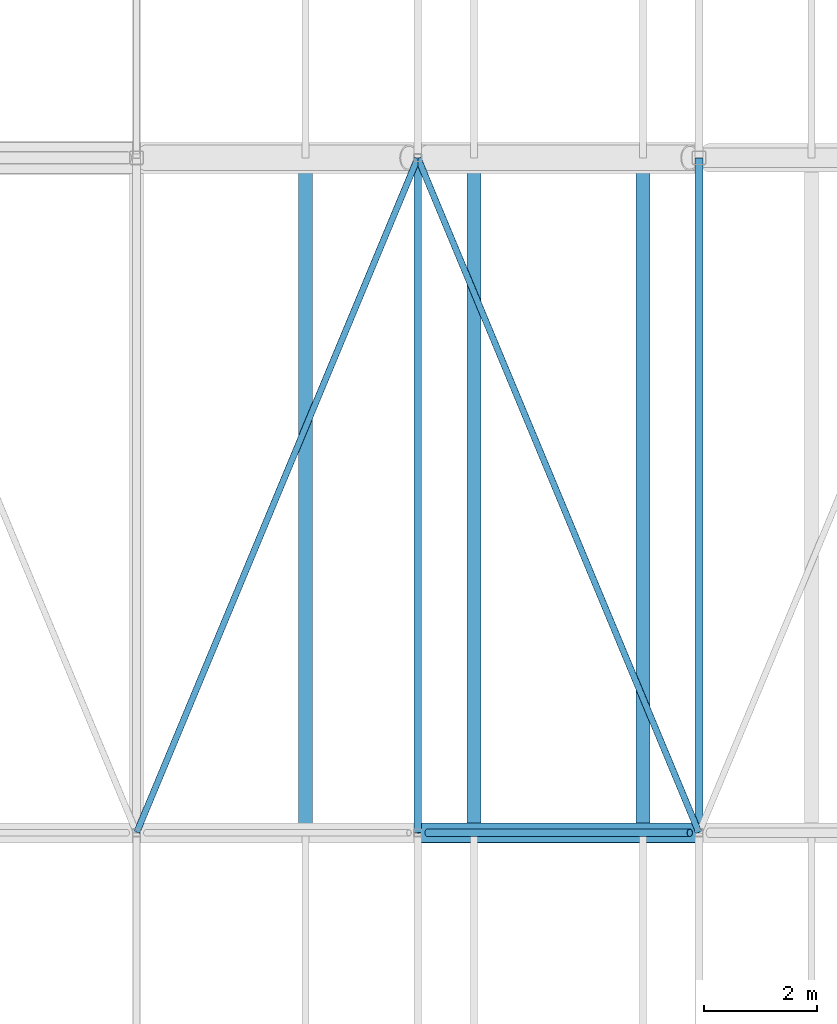
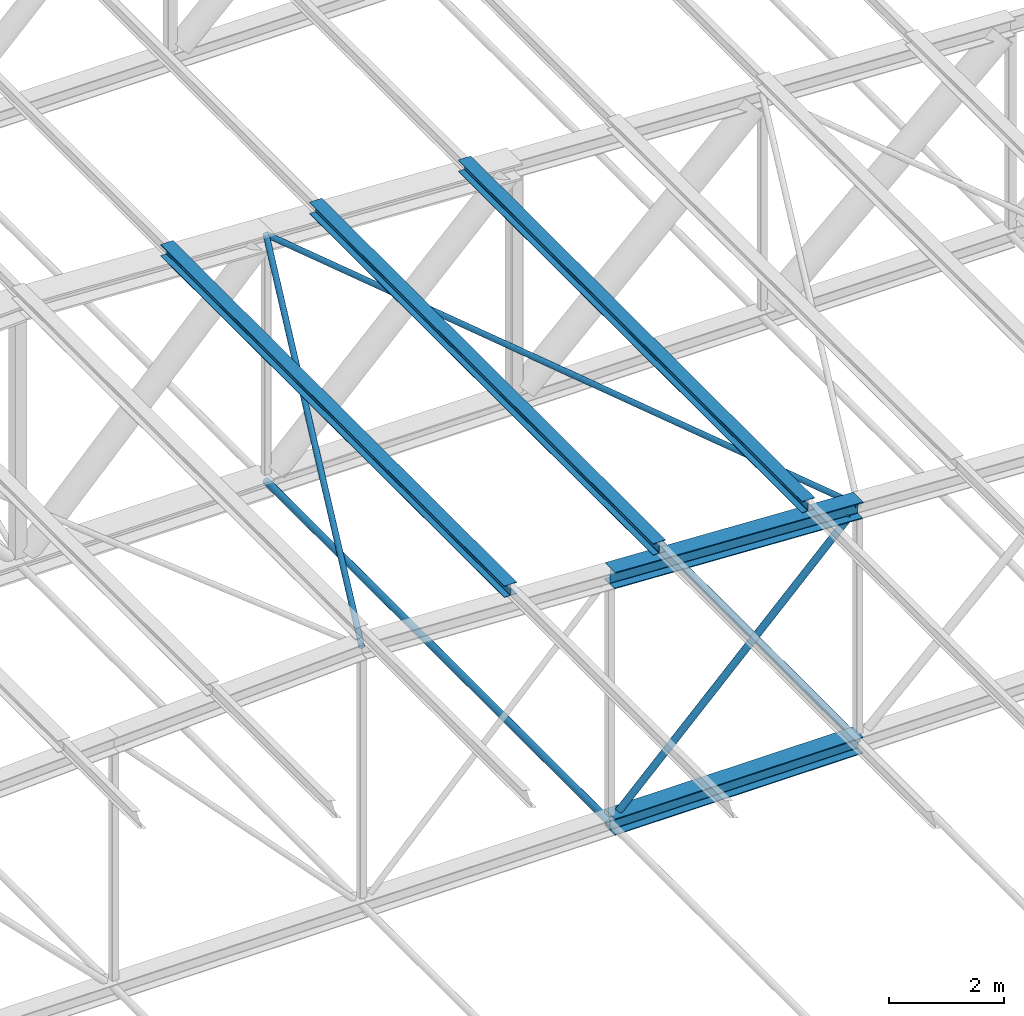
# One storey, part 71 of 156: 10 members.
"""IFC4 building model written with IfcOpenShell, lengths in metres."""

from ifc_helpers import new_model, si_unit, direction, frame, origin, origin_2d, place, context, subcontext, project, spatial, hollow_circle, i_section, extrude, material, material_profile, profile_set, type_object, element, save


model = new_model("IFC4")

# Units and contexts
model_context = context("Model", 3, precision=1e-05, world=origin(), true_north=direction((0.0, 1.0)))
body_context = subcontext(model_context, "Body", "Model", "MODEL_VIEW")
ifc_project = project(units=[si_unit("LENGTHUNIT", "METRE"), si_unit("AREAUNIT", "SQUARE_METRE"), si_unit("VOLUMEUNIT", "CUBIC_METRE"), si_unit("PLANEANGLEUNIT", "RADIAN"), si_unit("MASSUNIT", "GRAM", prefix="KILO")], contexts=[model_context])

# Site, building, storey
site_placement = place(None, origin())
site = spatial("IfcSite", under=ifc_project, at=site_placement, CompositionType="ELEMENT")
building_placement = place(site_placement, origin())
building = spatial("IfcBuilding", under=site, at=building_placement, Name="Lilac Gate Convention Centre", CompositionType="ELEMENT")
storey_placement = place(building_placement, frame((0.0, 0.0, 17.0)))
storey = spatial("IfcBuildingStorey", under=building, at=storey_placement, Name="L03", CompositionType="ELEMENT", Elevation=17.0)

# Members
ifc_material = material(Name="Steel Q355B", Category="steel")
ifc_material_profile_1 = material_profile(ifc_material, hollow_circle(Radius=0.06982421875, WallThickness=0.0048828125, at=origin_2d()), Name="CHS139.7x5")
ifc_profile_set_1 = profile_set([ifc_material_profile_1], Name="Steel Q355B")
member_type_1 = type_object("IfcMemberType", Name="Bottom chord tie CHS139.7x5", PredefinedType="STRUT", material=ifc_profile_set_1)
member_1_placement = place(storey_placement, frame((65.0, 126.009521484375, 0.0), z_axis=(0.0, 1.0, 0.0), x_axis=(-1.0, 0.0, 0.0)))
element("IfcMember", 1, at=member_1_placement, inside=storey, type_object=member_type_1, Name="ST1 tie bay 9 node 8", PredefinedType="STRUT", context=body_context, shape_type="SweptSolid", body=[
    extrude(hollow_circle(Radius=0.06982421875, WallThickness=0.0048828125, at=origin_2d()), origin(), (0.0, 0.0, 1.0), 11.982421875),
])
member_2_placement = place(storey_placement, frame((70.0, 126.006103515625, 0.0), z_axis=(0.0, 1.0, 0.0), x_axis=(-1.0, 0.0, 0.0)))
element("IfcMember", 2, at=member_2_placement, inside=storey, type_object=member_type_1, Name="ST1 tie bay 9 node 9", PredefinedType="STRUT", context=body_context, shape_type="SweptSolid", body=[
    extrude(hollow_circle(Radius=0.06982421875, WallThickness=0.0048828125, at=origin_2d()), origin(), (0.0, 0.0, 1.0), 11.98779296875),
])
ifc_material_profile_2 = material_profile(ifc_material, hollow_circle(Radius=0.05712890625, WallThickness=0.0048828125, at=origin_2d()), Name="CHS114.3x5")
ifc_profile_set_2 = profile_set([ifc_material_profile_2], Name="Steel Q355B")
member_type_2 = type_object("IfcMemberType", Name="Roof plane bracing CHS114.3x5", PredefinedType="BRACE", material=ifc_profile_set_2)
for number, where, z_axis, x_axis, name in (
    (3, (60.004150390625, 126.010009765625, 5.499755859375), (0.384546996299, 0.922905267945, -0.019221707435), (-0.923075809972, 0.384618056056, 0.0), "BR1 plan bracing bay 9 panel 7"),
    (4, (65.004150390625, 137.989990234375, 5.249755859375), (0.384546996299, -0.922905267945, -0.019221707435), (0.923075809972, 0.384618056056, 0.0), "BR1 plan bracing bay 9 panel 8"),
):
    element("IfcMember", number, at=place(storey_placement, frame(where, z_axis=z_axis, x_axis=x_axis)), inside=storey, type_object=member_type_2, Name=name, PredefinedType="BRACE", context=body_context, shape_type="SweptSolid", body=[
        extrude(hollow_circle(Radius=0.05712890625, WallThickness=0.0048828125, at=origin_2d()), origin(), (0.0, 0.0, 1.0), 12.980712890625),
    ])
ifc_material_profile_3 = material_profile(ifc_material, i_section(OverallWidth=0.25, OverallDepth=0.25, WebThickness=0.009033203125, FlangeThickness=0.013916015625, FilletRadius=0.012939453125, at=origin_2d()), Name="HW250x250x9x14")
ifc_profile_set_3 = profile_set([ifc_material_profile_3], Name="Steel Q355B")
member_type_3 = type_object("IfcMemberType", Name="Roof purlin HW250x250x9x14", PredefinedType="PURLIN", material=ifc_profile_set_3)
for number, where, z_axis, x_axis, name in (
    (5, (63.0, 126.0, 5.650146484375), (0.0, 1.0, 0.0), (-1.0, 0.0, 0.0), "PU1 purlin bay 9 line 12"),
    (6, (66.0, 126.0, 5.500244140625), (0.0, 1.0, 0.0), (-1.0, 0.0, 0.0), "PU1 purlin bay 9 line 13"),
    (7, (69.0, 126.0, 5.35009765625), (0.0, 1.0, 0.0), (-1.0, 0.0, 0.0), "PU1 purlin bay 9 line 14"),
):
    element("IfcMember", number, at=place(storey_placement, frame(where, z_axis=z_axis, x_axis=x_axis)), inside=storey, type_object=member_type_3, Name=name, PredefinedType="PURLIN", context=body_context, shape_type="SweptSolid", body=[
        extrude(i_section(OverallWidth=0.25, OverallDepth=0.25, WebThickness=0.009033203125, FlangeThickness=0.013916015625, FilletRadius=0.012939453125, at=origin_2d()), origin(), (0.0, 0.0, 1.0), 12.0),
    ])
ifc_material_profile_4 = material_profile(ifc_material, i_section(OverallWidth=0.35693359375, OverallDepth=0.35009765625, WebThickness=0.01904296875, FlangeThickness=0.01904296875, FilletRadius=0.012939453125, at=origin_2d()), Name="HW350x357x19x19")
ifc_profile_set_4 = profile_set([ifc_material_profile_4], Name="Steel Q355B")
member_type_4 = type_object("IfcMemberType", Name="Truss bottom chord HW350x357x19x19", PredefinedType="CHORD", material=ifc_profile_set_4)
member_3_placement = place(storey_placement, frame((65.0, 126.0, 0.0), z_axis=(1.0, 0.0, 0.0), x_axis=(0.0, 1.0, 0.0)))
element("IfcMember", 8, at=member_3_placement, inside=storey, type_object=member_type_4, Name="TB3 truss 9 bottom chord 8", PredefinedType="CHORD", context=body_context, shape_type="SweptSolid", body=[
    extrude(i_section(OverallWidth=0.35693359375, OverallDepth=0.35009765625, WebThickness=0.01904296875, FlangeThickness=0.01904296875, FilletRadius=0.012939453125, at=origin_2d()), origin(), (0.0, 0.0, 1.0), 5.0),
])
ifc_material_profile_5 = material_profile(ifc_material, hollow_circle(Radius=0.06982421875, WallThickness=0.006103515625, at=origin_2d()), Name="CHS139.7x6")
ifc_profile_set_5 = profile_set([ifc_material_profile_5], Name="Steel Q355B")
member_type_5 = type_object("IfcMemberType", Name="Truss diagonal CHS139.7x6", PredefinedType="BRACE", material=ifc_profile_set_5)
member_4_placement = place(storey_placement, frame((69.835693359375, 126.0, 4.835693359375), z_axis=(-0.707106781187, 0.0, -0.707106781187), x_axis=(0.0, -1.0, 0.0)))
element("IfcMember", 9, at=member_4_placement, inside=storey, type_object=member_type_5, Name="TW5 truss 9 diagonal 8", PredefinedType="BRACE", context=body_context, shape_type="SweptSolid", body=[
    extrude(hollow_circle(Radius=0.06982421875, WallThickness=0.006103515625, at=origin_2d()), origin(), (0.0, 0.0, 1.0), 6.591064453125),
])
ifc_material_profile_6 = material_profile(ifc_material, i_section(OverallWidth=0.35009765625, OverallDepth=0.35009765625, WebThickness=0.011962890625, FlangeThickness=0.01904296875, FilletRadius=0.012939453125, at=origin_2d()), Name="HW350x350x12x19")
ifc_profile_set_6 = profile_set([ifc_material_profile_6], Name="Steel Q355B")
member_type_6 = type_object("IfcMemberType", Name="Truss top chord HW350x350x12x19", PredefinedType="CHORD", material=ifc_profile_set_6)
member_5_placement = place(storey_placement, frame((65.0, 126.0, 5.25), z_axis=(0.998752338878, 0.0, -0.049937616944), x_axis=(0.0, 1.0, 0.0)))
element("IfcMember", 10, at=member_5_placement, inside=storey, type_object=member_type_6, Name="TT2 truss 9 top chord 8", PredefinedType="CHORD", context=body_context, shape_type="SweptSolid", body=[
    extrude(i_section(OverallWidth=0.35009765625, OverallDepth=0.35009765625, WebThickness=0.011962890625, FlangeThickness=0.01904296875, FilletRadius=0.012939453125, at=origin_2d()), origin(), (0.0, 0.0, 1.0), 5.00634765625),
])

save(model, "model.ifc")
